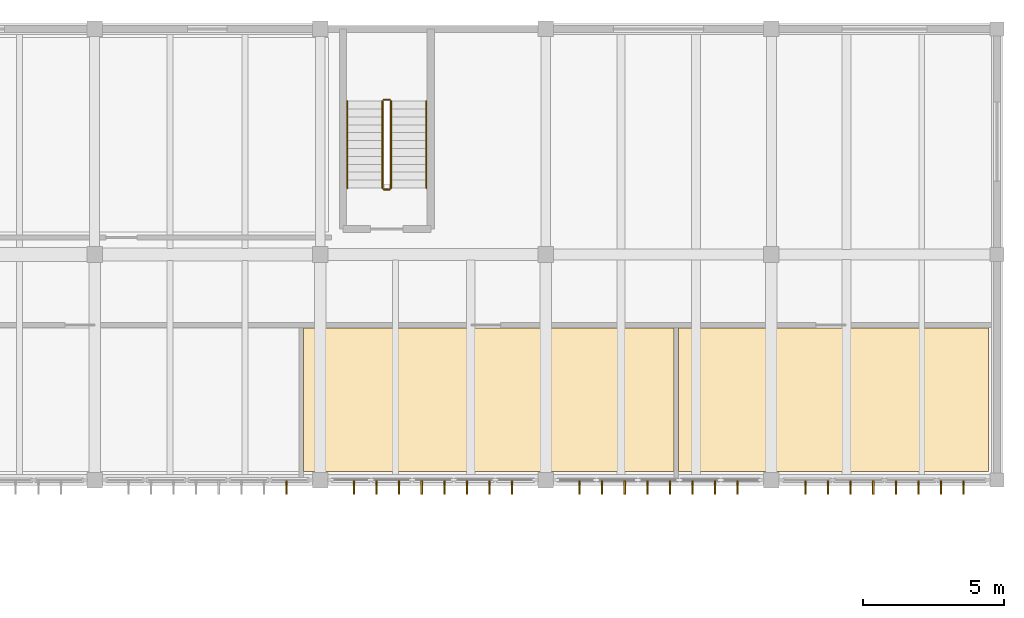
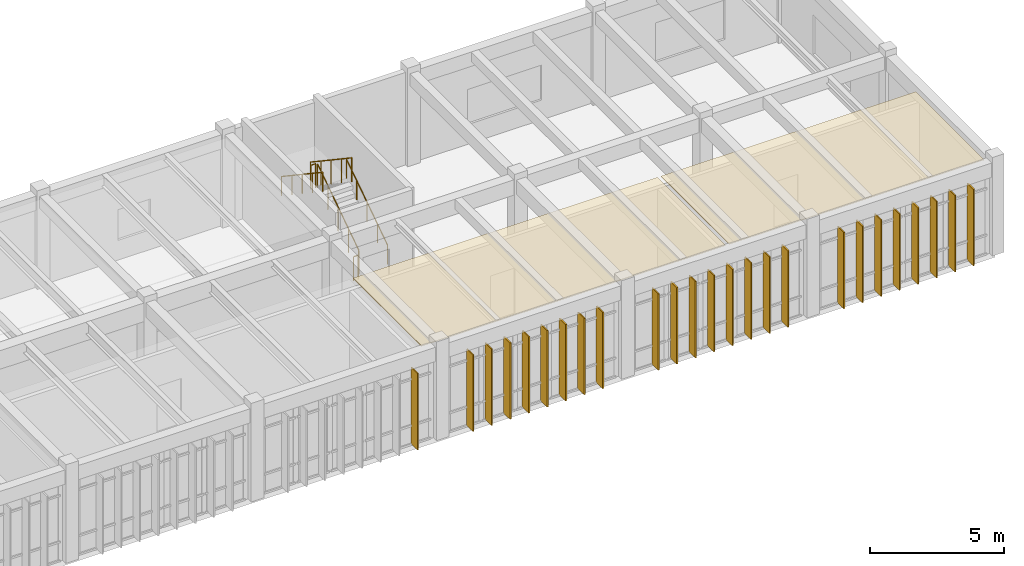
# One storey, part 78 of 79: 25 shading devices, 6 railings, 2 coverings.
"""IFC4 building model written with IfcOpenShell, lengths in metres."""

from ifc_helpers import new_model, si_unit, direction, frame, origin, origin_2d, place, context, subcontext, project, spatial, polyline, rectangle, circle, outline, extrude, material, layer, layer_set, type_object, element, save


model = new_model("IFC4")

# Units and contexts
model_context = context("Model", 3, precision=1e-05, world=origin(), true_north=direction((0.0, 1.0)))
body_context = subcontext(model_context, "Body", "Model", "MODEL_VIEW")
ifc_project = project(units=[si_unit("LENGTHUNIT", "METRE"), si_unit("AREAUNIT", "SQUARE_METRE"), si_unit("VOLUMEUNIT", "CUBIC_METRE"), si_unit("PLANEANGLEUNIT", "RADIAN"), si_unit("MASSUNIT", "GRAM", prefix="KILO")], contexts=[model_context])

# Site, building, storey
site_placement = place(None, origin())
site = spatial("IfcSite", under=ifc_project, at=site_placement, CompositionType="ELEMENT")
building_placement = place(site_placement, origin())
building = spatial("IfcBuilding", under=site, at=building_placement, Name="Tlaxcora Railside Police Headquarters", CompositionType="ELEMENT")
storey_placement = place(building_placement, frame((0.0, 0.0, 9.0)))
storey = spatial("IfcBuildingStorey", under=building, at=storey_placement, Name="L02", CompositionType="ELEMENT", Elevation=9.0)

# Coverings
ifc_material_1 = material(Name="Mineral-fibre acoustic ceiling tile")
ifc_layer_1 = layer(ifc_material_1, 0.034912109375, Name="Mineral-fibre acoustic ceiling tile")
ifc_layer_set_1 = layer_set([ifc_layer_1], Name="Mineral-fibre acoustic ceiling tile")
covering_type = type_object("IfcCoveringType", Name="Acoustic Suspended Ceiling CLG-01", PredefinedType="CEILING", material=ifc_layer_set_1)
covering_1_placement = place(storey_placement, frame((0.0, 0.0, 4.06494140625)))
element("IfcCovering", 1, at=covering_1_placement, inside=storey, type_object=covering_type, Name="Cyber-Policing Computer Training Room suspended ceiling", PredefinedType="CEILING", context=body_context, shape_type="SweptSolid", body=[
    extrude(outline(polyline([(134.2041015625, 41.39990234375), (134.2041015625, 36.300048828125), (147.340087890625, 36.300048828125), (147.340087890625, 41.39990234375), (134.2041015625, 41.39990234375)])), origin(), (0.0, 0.0, 1.0), 0.03515625),
])
covering_2_placement = place(storey_placement, frame((0.0, 0.0, 4.06494140625)))
element("IfcCovering", 2, at=covering_2_placement, inside=storey, type_object=covering_type, Name="Academy Faculty and Curriculum Office suspended ceiling", PredefinedType="CEILING", context=body_context, shape_type="SweptSolid", body=[
    extrude(outline(polyline([(147.5, 41.39990234375), (147.5, 36.300048828125), (158.5, 36.300048828125), (158.5, 41.39990234375), (147.5, 41.39990234375)])), origin(), (0.0, 0.0, 1.0), 0.03515625),
])

# Shading devices
ifc_material_2 = material(Name="Anodised aluminium framing", Category="aluminium")
ifc_layer_2 = layer(ifc_material_2, 0.054931640625, Name="Anodised aluminium framing")
ifc_layer_set_2 = layer_set([ifc_layer_2], Name="Anodised aluminium framing")
shading_device_type = type_object("IfcShadingDeviceType", Name="Solar Control Fin SF-01", PredefinedType="JALOUSIE", material=ifc_layer_set_2)
for number, where, z_axis, x_axis, name in (
    (3, (133.60009765625, 35.739990234375, 0.0400390625), (0.0, 0.0, 1.0), (0.0, -1.0, 0.0), "Vertical solar fin 999"),
    (4, (136.0, 35.739990234375, 0.0400390625), (0.0, 0.0, 1.0), (0.0, -1.0, 0.0), "Vertical solar fin 1000"),
    (5, (136.800048828125, 35.739990234375, 0.0400390625), (0.0, 0.0, 1.0), (0.0, -1.0, 0.0), "Vertical solar fin 1001"),
    (6, (137.60009765625, 35.739990234375, 0.0400390625), (0.0, 0.0, 1.0), (0.0, -1.0, 0.0), "Vertical solar fin 1002"),
    (7, (138.39990234375, 35.739990234375, 0.0400390625), (0.0, 0.0, 1.0), (0.0, -1.0, 0.0), "Vertical solar fin 1003"),
    (8, (139.199951171875, 35.739990234375, 0.0400390625), (0.0, 0.0, 1.0), (0.0, -1.0, 0.0), "Vertical solar fin 1004"),
    (9, (140.0, 35.739990234375, 0.0400390625), (0.0, 0.0, 1.0), (0.0, -1.0, 0.0), "Vertical solar fin 1005"),
    (10, (140.800048828125, 35.739990234375, 0.0400390625), (0.0, 0.0, 1.0), (0.0, -1.0, 0.0), "Vertical solar fin 1006"),
    (11, (141.60009765625, 35.739990234375, 0.0400390625), (0.0, 0.0, 1.0), (0.0, -1.0, 0.0), "Vertical solar fin 1007"),
    (12, (144.0, 35.739990234375, 0.0400390625), (0.0, 0.0, 1.0), (0.0, -1.0, 0.0), "Vertical solar fin 1008"),
    (13, (144.800048828125, 35.739990234375, 0.0400390625), (0.0, 0.0, 1.0), (0.0, -1.0, 0.0), "Vertical solar fin 1009"),
    (14, (145.60009765625, 35.739990234375, 0.0400390625), (0.0, 0.0, 1.0), (0.0, -1.0, 0.0), "Vertical solar fin 1010"),
    (15, (146.39990234375, 35.739990234375, 0.0400390625), (0.0, 0.0, 1.0), (0.0, -1.0, 0.0), "Vertical solar fin 1011"),
    (16, (147.199951171875, 35.739990234375, 0.0400390625), (0.0, 0.0, 1.0), (0.0, -1.0, 0.0), "Vertical solar fin 1012"),
    (17, (148.0, 35.739990234375, 0.0400390625), (0.0, 0.0, 1.0), (0.0, -1.0, 0.0), "Vertical solar fin 1013"),
    (18, (148.800048828125, 35.739990234375, 0.0400390625), (0.0, 0.0, 1.0), (0.0, -1.0, 0.0), "Vertical solar fin 1014"),
    (19, (149.60009765625, 35.739990234375, 0.0400390625), (0.0, 0.0, 1.0), (0.0, -1.0, 0.0), "Vertical solar fin 1015"),
    (20, (152.012451171875, 35.739990234375, 0.0400390625), (0.0, 0.0, 1.0), (0.0, -1.0, 0.0), "Vertical solar fin 1016"),
    (21, (152.8125, 35.739990234375, 0.0400390625), (0.0, 0.0, 1.0), (0.0, -1.0, 0.0), "Vertical solar fin 1017"),
    (22, (153.612548828125, 35.739990234375, 0.0400390625), (0.0, 0.0, 1.0), (0.0, -1.0, 0.0), "Vertical solar fin 1018"),
    (23, (154.41259765625, 35.739990234375, 0.0400390625), (0.0, 0.0, 1.0), (0.0, -1.0, 0.0), "Vertical solar fin 1019"),
    (24, (155.21240234375, 35.739990234375, 0.0400390625), (0.0, 0.0, 1.0), (0.0, -1.0, 0.0), "Vertical solar fin 1020"),
    (25, (156.012451171875, 35.739990234375, 0.0400390625), (0.0, 0.0, 1.0), (0.0, -1.0, 0.0), "Vertical solar fin 1021"),
    (26, (156.8125, 35.739990234375, 0.0400390625), (0.0, 0.0, 1.0), (0.0, -1.0, 0.0), "Vertical solar fin 1022"),
    (27, (157.612548828125, 35.739990234375, 0.0400390625), (0.0, 0.0, 1.0), (0.0, -1.0, 0.0), "Vertical solar fin 1023"),
):
    element("IfcShadingDevice", number, at=place(storey_placement, frame(where, z_axis=z_axis, x_axis=x_axis)), inside=storey, type_object=shading_device_type, Name=name, PredefinedType="JALOUSIE", context=body_context, shape_type="SweptSolid", body=[
        extrude(rectangle(XDim=0.47998046875, YDim=0.054931640625, at=origin_2d()), origin(), (0.0, 0.0, 1.0), 3.489990234375),
    ])

# Railings
ifc_material_3 = material(Name="Steel ASTM A992 Grade 50", Category="steel")
railing_type_1 = type_object("IfcRailingType", Name="Stair Well Guard Balustrade GR-02", PredefinedType="BALUSTRADE", material=ifc_material_3)
railing_1_placement = place(storey_placement, frame((137.31005859375, 46.360107421875, 0.1875)))
element("IfcRailing", 28, at=railing_1_placement, inside=storey, type_object=railing_type_1, Name="L02 ST11 stair guard 1", PredefinedType="BALUSTRADE", context=body_context, shape_type="SweptSolid", body=[
    extrude(circle(Radius=0.02392578125, at=origin_2d()), frame((0.0, 0.0, 1.09619140625), z_axis=(0.0, 0.830893310487, 0.556431762742), x_axis=(-1.0, 0.0, 0.0)), (0.0, 0.0, 1.0), 3.70654296875),
    extrude(circle(Radius=0.02099609375, at=origin_2d()), origin(), (0.0, 0.0, 1.0), 1.072021484375),
    extrude(circle(Radius=0.02099609375, at=origin_2d()), frame((0.0, 0.77001953125, 0.515625)), (0.0, 0.0, 1.0), 1.072021484375),
    extrude(circle(Radius=0.02099609375, at=origin_2d()), frame((0.0, 1.5400390625, 1.03125)), (0.0, 0.0, 1.0), 1.072021484375),
    extrude(circle(Radius=0.02099609375, at=origin_2d()), frame((0.0, 2.309814453125, 1.546875)), (0.0, 0.0, 1.0), 1.072021484375),
    extrude(circle(Radius=0.02099609375, at=origin_2d()), frame((0.0, 3.079833984375, 2.0625)), (0.0, 0.0, 1.0), 1.072021484375),
])
railing_2_placement = place(storey_placement, frame((137.260009765625, 49.489990234375, 2.25)))
element("IfcRailing", 29, at=railing_2_placement, inside=storey, type_object=railing_type_1, Name="L02 ST11 stair guard 2", PredefinedType="BALUSTRADE", context=body_context, shape_type="SweptSolid", body=[
    extrude(circle(Radius=0.02392578125, at=origin_2d()), frame((0.0, 0.0, 1.09619140625), z_axis=(-1.0, 0.0, 0.0), x_axis=(0.0, -1.0, 0.0)), (0.0, 0.0, 1.0), 0.199951171875),
    extrude(circle(Radius=0.02099609375, at=origin_2d()), origin(), (0.0, 0.0, 1.0), 1.072021484375),
    extrude(circle(Radius=0.02099609375, at=origin_2d()), frame((-0.199951171875, 0.0, 0.0)), (0.0, 0.0, 1.0), 1.072021484375),
])
railing_3_placement = place(storey_placement, frame((137.010009765625, 49.43994140625, 2.4375)))
element("IfcRailing", 30, at=railing_3_placement, inside=storey, type_object=railing_type_1, Name="L02 ST11 stair guard 3", PredefinedType="BALUSTRADE", context=body_context, shape_type="SweptSolid", body=[
    extrude(circle(Radius=0.02392578125, at=origin_2d()), frame((0.0, 0.0, 1.09619140625), z_axis=(0.0, -0.830893310487, 0.556431762742), x_axis=(1.0, 0.0, 0.0)), (0.0, 0.0, 1.0), 3.70654296875),
    extrude(circle(Radius=0.02099609375, at=origin_2d()), origin(), (0.0, 0.0, 1.0), 1.072021484375),
    extrude(circle(Radius=0.02099609375, at=origin_2d()), frame((0.0, -0.77001953125, 0.515625)), (0.0, 0.0, 1.0), 1.072021484375),
    extrude(circle(Radius=0.02099609375, at=origin_2d()), frame((0.0, -1.5400390625, 1.03125)), (0.0, 0.0, 1.0), 1.072021484375),
    extrude(circle(Radius=0.02099609375, at=origin_2d()), frame((0.0, -2.309814453125, 1.546875)), (0.0, 0.0, 1.0), 1.072021484375),
    extrude(circle(Radius=0.02099609375, at=origin_2d()), frame((0.0, -3.079833984375, 2.0625)), (0.0, 0.0, 1.0), 1.072021484375),
])
railing_4_placement = place(storey_placement, frame((137.260009765625, 46.31005859375, 0.0)))
element("IfcRailing", 31, at=railing_4_placement, inside=storey, type_object=railing_type_1, Name="L02 ST11 stair guard 4", PredefinedType="BALUSTRADE", context=body_context, shape_type="SweptSolid", body=[
    extrude(circle(Radius=0.02392578125, at=origin_2d()), frame((0.0, 0.0, 1.09619140625), z_axis=(-1.0, 0.0, 0.0), x_axis=(0.0, -1.0, 0.0)), (0.0, 0.0, 1.0), 0.199951171875),
    extrude(circle(Radius=0.02099609375, at=origin_2d()), origin(), (0.0, 0.0, 1.0), 1.072021484375),
    extrude(circle(Radius=0.02099609375, at=origin_2d()), frame((-0.199951171875, 0.0, 0.0)), (0.0, 0.0, 1.0), 1.072021484375),
])
railing_type_2 = type_object("IfcRailingType", Name="Stair and Ramp Handrail HR-01", PredefinedType="HANDRAIL", material=ifc_material_3)
railing_5_placement = place(storey_placement, frame((138.56005859375, 46.360107421875, 0.1875)))
element("IfcRailing", 32, at=railing_5_placement, inside=storey, type_object=railing_type_2, Name="L02 ST11 stair handrail 1", PredefinedType="HANDRAIL", context=body_context, shape_type="SweptSolid", body=[
    extrude(circle(Radius=0.02392578125, at=origin_2d()), frame((0.0, 0.0, 0.8759765625), z_axis=(0.0, 0.830893310487, 0.556431762742), x_axis=(-1.0, 0.0, 0.0)), (0.0, 0.0, 1.0), 3.70654296875),
    extrude(circle(Radius=0.02099609375, at=origin_2d()), origin(), (0.0, 0.0, 1.0), 0.851806640625),
    extrude(circle(Radius=0.02099609375, at=origin_2d()), frame((0.0, 0.77001953125, 0.515625)), (0.0, 0.0, 1.0), 0.851806640625),
    extrude(circle(Radius=0.02099609375, at=origin_2d()), frame((0.0, 1.5400390625, 1.03125)), (0.0, 0.0, 1.0), 0.851806640625),
    extrude(circle(Radius=0.02099609375, at=origin_2d()), frame((0.0, 2.309814453125, 1.546875)), (0.0, 0.0, 1.0), 0.851806640625),
    extrude(circle(Radius=0.02099609375, at=origin_2d()), frame((0.0, 3.079833984375, 2.0625)), (0.0, 0.0, 1.0), 0.851806640625),
])
railing_6_placement = place(storey_placement, frame((135.760009765625, 49.43994140625, 2.4375)))
element("IfcRailing", 33, at=railing_6_placement, inside=storey, type_object=railing_type_2, Name="L02 ST11 stair handrail 2", PredefinedType="HANDRAIL", context=body_context, shape_type="SweptSolid", body=[
    extrude(circle(Radius=0.02392578125, at=origin_2d()), frame((0.0, 0.0, 0.8759765625), z_axis=(0.0, -0.830893310487, 0.556431762742), x_axis=(1.0, 0.0, 0.0)), (0.0, 0.0, 1.0), 3.70654296875),
    extrude(circle(Radius=0.02099609375, at=origin_2d()), origin(), (0.0, 0.0, 1.0), 0.851806640625),
    extrude(circle(Radius=0.02099609375, at=origin_2d()), frame((0.0, -0.77001953125, 0.515625)), (0.0, 0.0, 1.0), 0.851806640625),
    extrude(circle(Radius=0.02099609375, at=origin_2d()), frame((0.0, -1.5400390625, 1.03125)), (0.0, 0.0, 1.0), 0.851806640625),
    extrude(circle(Radius=0.02099609375, at=origin_2d()), frame((0.0, -2.309814453125, 1.546875)), (0.0, 0.0, 1.0), 0.851806640625),
    extrude(circle(Radius=0.02099609375, at=origin_2d()), frame((0.0, -3.079833984375, 2.0625)), (0.0, 0.0, 1.0), 0.851806640625),
])

save(model, "model.ifc")
